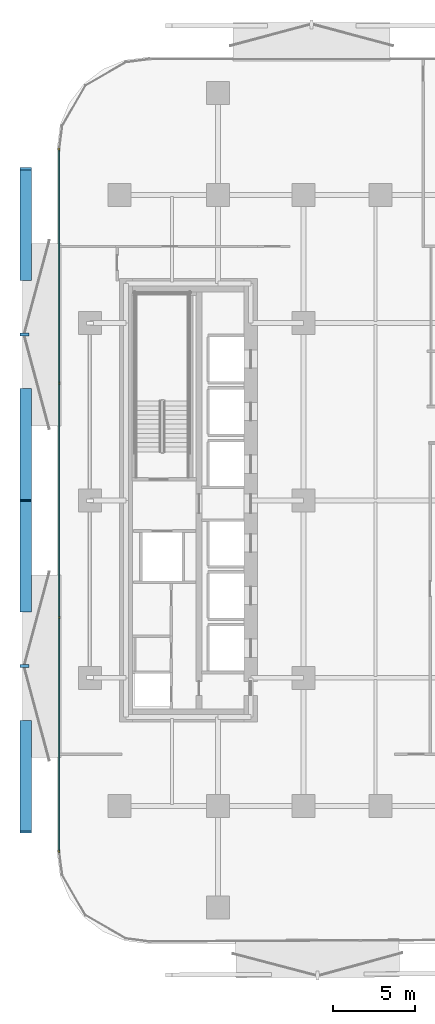
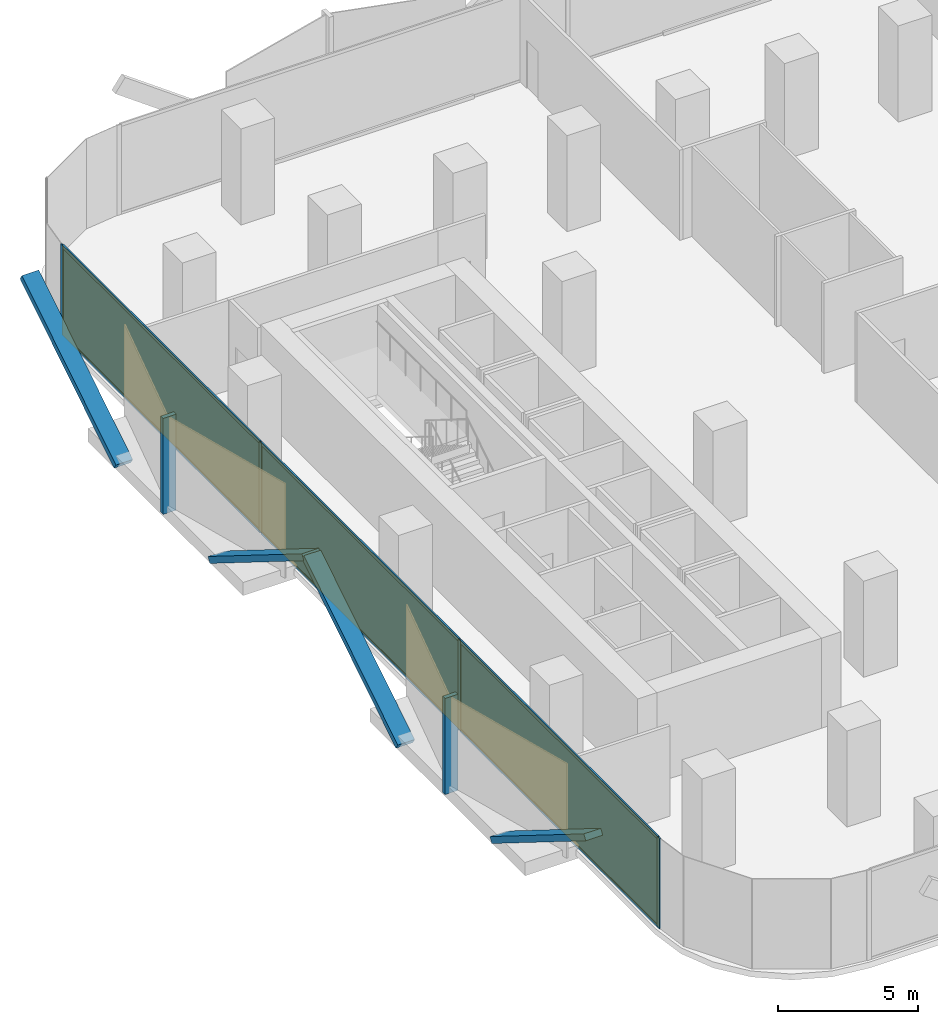
# One storey, part 8 of 15: 16 members, 3 plates, 1 curtain wall.
"""IFC4 building model written with IfcOpenShell, lengths in metres."""

from ifc_helpers import new_model, si_unit, direction, frame, frame_2d, origin, origin_2d, place, context, subcontext, project, spatial, rectangle, extrude, material, layer, layer_set, material_profile, profile_set, type_object, element, aggregate, save


model = new_model("IFC4")

# Units and contexts
model_context = context("Model", 3, precision=1e-05, world=origin(), true_north=direction((0.0, 1.0)))
body_context = subcontext(model_context, "Body", "Model", "MODEL_VIEW")
ifc_project = project(units=[si_unit("LENGTHUNIT", "METRE"), si_unit("AREAUNIT", "SQUARE_METRE"), si_unit("VOLUMEUNIT", "CUBIC_METRE"), si_unit("PLANEANGLEUNIT", "RADIAN"), si_unit("MASSUNIT", "GRAM", prefix="KILO")], contexts=[model_context])

# Member
ifc_material_1 = material(Name="Anodised Bronze Aluminium 6063-T6", Category="aluminium")
ifc_material_profile_1 = material_profile(ifc_material_1, rectangle(XDim=0.260009765625, YDim=0.699951171875, at=origin_2d()))
ifc_profile_set_1 = profile_set([ifc_material_profile_1], Name="Anodised Bronze Aluminium 6063-T6")
member_type_1 = type_object("IfcMemberType", Name="Bronze Diamond Solar-Screen Lattice Rib BDL-700", PredefinedType="MULLION", material=ifc_profile_set_1)
site_placement = place(None, origin())
building_placement = place(site_placement, origin())
storey_placement = place(building_placement, frame((0.0, 0.0, 59.60009765625)))
member_1_placement = place(storey_placement, frame((-26.10009765625, -6.730224609375, -0.130126953125), z_axis=(0.0, 0.848362902952, 0.529415134744), x_axis=(0.0, -0.529415134744, 0.848362902952)))
member_1 = element("IfcMember", 1, at=member_1_placement, type_object=member_type_1, Name="L14 Bronze Diamond Solar Screen Lattice Rib 67A", PredefinedType="MULLION", context=body_context, shape_type="SweptSolid", body=[
    extrude(rectangle(XDim=0.260009765625, YDim=0.699951171875, at=origin_2d()), origin(), (0.0, 0.0, 1.0), 7.93310546875),
])

member_2_placement = place(storey_placement, frame((-26.10009765625, -13.46044921875, -0.130126953125), z_axis=(0.0, -0.848371528126, 0.529401313057), x_axis=(0.0, 0.529401313057, 0.848371528126)))
member_2 = element("IfcMember", 2, at=member_2_placement, type_object=member_type_1, Name="L14 Bronze Diamond Solar Screen Lattice Rib 67B", PredefinedType="MULLION", context=body_context, shape_type="SweptSolid", body=[
    extrude(rectangle(XDim=0.260009765625, YDim=0.699951171875, at=origin_2d()), origin(), (0.0, 0.0, 1.0), 7.933349609375),
])

member_3_placement = place(storey_placement, frame((-26.10009765625, 13.46044921875, -0.130126953125), z_axis=(0.0, 0.848371528126, 0.529401313057), x_axis=(0.0, -0.529401313057, 0.848371528126)))
member_3 = element("IfcMember", 3, at=member_3_placement, type_object=member_type_1, Name="L14 Bronze Diamond Solar Screen Lattice Rib 68A", PredefinedType="MULLION", context=body_context, shape_type="SweptSolid", body=[
    extrude(rectangle(XDim=0.260009765625, YDim=0.699951171875, at=origin_2d()), origin(), (0.0, 0.0, 1.0), 7.933349609375),
])

member_4_placement = place(storey_placement, frame((-26.10009765625, 6.730224609375, -0.130126953125), z_axis=(0.0, -0.848362902952, 0.529415134744), x_axis=(0.0, 0.529415134744, 0.848362902952)))
member_4 = element("IfcMember", 4, at=member_4_placement, type_object=member_type_1, Name="L14 Bronze Diamond Solar Screen Lattice Rib 68B", PredefinedType="MULLION", context=body_context, shape_type="SweptSolid", body=[
    extrude(rectangle(XDim=0.260009765625, YDim=0.699951171875, at=origin_2d()), origin(), (0.0, 0.0, 1.0), 7.93310546875),
])

ifc_material_2 = material(Name="Anodised Bronze Aluminium 6063-T6", Category="aluminium")
ifc_material_profile_2 = material_profile(ifc_material_2, rectangle(XDim=0.179931640625, YDim=0.5400390625, at=origin_2d()))
ifc_profile_set_2 = profile_set([ifc_material_profile_2], Name="Anodised Bronze Aluminium 6063-T6")
member_type_2 = type_object("IfcMemberType", Name="Bronze Solar-Screen Vertical Fold Fin BSF-540", PredefinedType="MULLION", material=ifc_profile_set_2)
member_5_placement = place(storey_placement, frame((-26.179931640625, -10.095458984375, -0.130126953125), z_axis=(0.0, 0.0, 1.0), x_axis=(0.0, 1.0, 0.0)))
member_5 = element("IfcMember", 5, at=member_5_placement, type_object=member_type_2, Name="L14 Bronze Solar Screen Vertical Fin 67", PredefinedType="MULLION", context=body_context, shape_type="SweptSolid", body=[
    extrude(rectangle(XDim=0.179931640625, YDim=0.5400390625, at=origin_2d()), origin(), (0.0, 0.0, 1.0), 4.199951171875),
])

member_6_placement = place(storey_placement, frame((-26.179931640625, 10.095458984375, -0.130126953125), z_axis=(0.0, 0.0, 1.0), x_axis=(0.0, 1.0, 0.0)))
member_6 = element("IfcMember", 6, at=member_6_placement, type_object=member_type_2, Name="L14 Bronze Solar Screen Vertical Fin 68", PredefinedType="MULLION", context=body_context, shape_type="SweptSolid", body=[
    extrude(rectangle(XDim=0.179931640625, YDim=0.5400390625, at=origin_2d()), origin(), (0.0, 0.0, 1.0), 4.199951171875),
])

ifc_material_3 = material(Name="Anodised Bronze Aluminium 6063-T6", Category="aluminium")
ifc_material_profile_3 = material_profile(ifc_material_3, rectangle(XDim=0.06494140625, YDim=0.179931640625, at=origin_2d()))
ifc_profile_set_3 = profile_set([ifc_material_profile_3], Name="Anodised Bronze Aluminium 6063-T6")
member_type_3 = type_object("IfcMemberType", Name="CW-Z1 Mullion 65x180", PredefinedType="MULLION", material=ifc_profile_set_3)
member_7_placement = place(storey_placement, frame((-24.06005859375, -21.3583984375, 0.0), z_axis=(0.0, 0.0, 1.0), x_axis=(-1.0, 0.0, 0.0)))
member_7 = element("IfcMember", 7, at=member_7_placement, type_object=member_type_3, Name="CW-Z1 mullion 1", PredefinedType="MULLION", context=body_context, shape_type="SweptSolid", body=[
    extrude(rectangle(XDim=0.06494140625, YDim=0.179931640625, at=origin_2d()), origin(), (0.0, 0.0, 1.0), 3.93994140625),
])

member_8_placement = place(storey_placement, frame((-24.06005859375, -7.13037109375, 0.0), z_axis=(0.0, 0.0, 1.0), x_axis=(-1.0, 0.0, 0.0)))
member_8 = element("IfcMember", 8, at=member_8_placement, type_object=member_type_3, Name="CW-Z1 mullion 2", PredefinedType="MULLION", context=body_context, shape_type="SweptSolid", body=[
    extrude(rectangle(XDim=0.06494140625, YDim=0.179931640625, at=origin_2d()), origin(), (0.0, 0.0, 1.0), 3.93994140625),
])

member_9_placement = place(storey_placement, frame((-24.06005859375, 7.13037109375, 0.0), z_axis=(0.0, 0.0, 1.0), x_axis=(-1.0, 0.0, 0.0)))
member_9 = element("IfcMember", 9, at=member_9_placement, type_object=member_type_3, Name="CW-Z1 mullion 3", PredefinedType="MULLION", context=body_context, shape_type="SweptSolid", body=[
    extrude(rectangle(XDim=0.06494140625, YDim=0.179931640625, at=origin_2d()), origin(), (0.0, 0.0, 1.0), 3.93994140625),
])

member_10_placement = place(storey_placement, frame((-24.06005859375, 21.3583984375, 0.0), z_axis=(0.0, 0.0, 1.0), x_axis=(-1.0, 0.0, 0.0)))
member_10 = element("IfcMember", 10, at=member_10_placement, type_object=member_type_3, Name="CW-Z1 mullion 4", PredefinedType="MULLION", context=body_context, shape_type="SweptSolid", body=[
    extrude(rectangle(XDim=0.06494140625, YDim=0.179931640625, at=origin_2d()), origin(), (0.0, 0.0, 1.0), 3.93994140625),
])

ifc_material_4 = material(Name="Anodised Bronze Aluminium 6063-T6", Category="aluminium")
ifc_material_profile_4 = material_profile(ifc_material_4, rectangle(XDim=0.06494140625, YDim=0.139892578125, at=origin_2d()))
ifc_profile_set_4 = profile_set([ifc_material_profile_4], Name="Anodised Bronze Aluminium 6063-T6")
member_type_4 = type_object("IfcMemberType", Name="CW-Z1 Transom 65x140", PredefinedType="USERDEFINED", material=ifc_profile_set_4)
member_11_placement = place(storey_placement, frame((-24.06005859375, -21.32568359375, 0.032470703125), z_axis=(0.0, 1.0, 0.0), x_axis=(-1.0, 0.0, 0.0)))
member_11 = element("IfcMember", 11, at=member_11_placement, type_object=member_type_4, Name="CW-Z1 transom 1.1", ObjectType="TRANSOM", PredefinedType="USERDEFINED", context=body_context, shape_type="SweptSolid", body=[
    extrude(rectangle(XDim=0.06494140625, YDim=0.139892578125, at=origin_2d()), origin(), (0.0, 0.0, 1.0), 14.162841796875),
])

member_12_placement = place(storey_placement, frame((-24.06005859375, -21.32568359375, 3.907470703125), z_axis=(0.0, 1.0, 0.0), x_axis=(-1.0, 0.0, 0.0)))
member_12 = element("IfcMember", 12, at=member_12_placement, type_object=member_type_4, Name="CW-Z1 transom 1.2", ObjectType="TRANSOM", PredefinedType="USERDEFINED", context=body_context, shape_type="SweptSolid", body=[
    extrude(rectangle(XDim=0.06494140625, YDim=0.139892578125, at=origin_2d()), origin(), (0.0, 0.0, 1.0), 14.162841796875),
])

member_13_placement = place(storey_placement, frame((-24.06005859375, -7.09765625, 0.032470703125), z_axis=(0.0, 1.0, 0.0), x_axis=(-1.0, 0.0, 0.0)))
member_13 = element("IfcMember", 13, at=member_13_placement, type_object=member_type_4, Name="CW-Z1 transom 2.1", ObjectType="TRANSOM", PredefinedType="USERDEFINED", context=body_context, shape_type="SweptSolid", body=[
    extrude(rectangle(XDim=0.06494140625, YDim=0.139892578125, at=origin_2d()), origin(), (0.0, 0.0, 1.0), 14.1953125),
])

member_14_placement = place(storey_placement, frame((-24.06005859375, -7.09765625, 3.907470703125), z_axis=(0.0, 1.0, 0.0), x_axis=(-1.0, 0.0, 0.0)))
member_14 = element("IfcMember", 14, at=member_14_placement, type_object=member_type_4, Name="CW-Z1 transom 2.2", ObjectType="TRANSOM", PredefinedType="USERDEFINED", context=body_context, shape_type="SweptSolid", body=[
    extrude(rectangle(XDim=0.06494140625, YDim=0.139892578125, at=origin_2d()), origin(), (0.0, 0.0, 1.0), 14.1953125),
])

member_15_placement = place(storey_placement, frame((-24.06005859375, 7.162841796875, 0.032470703125), z_axis=(0.0, 1.0, 0.0), x_axis=(-1.0, 0.0, 0.0)))
member_15 = element("IfcMember", 15, at=member_15_placement, type_object=member_type_4, Name="CW-Z1 transom 3.1", ObjectType="TRANSOM", PredefinedType="USERDEFINED", context=body_context, shape_type="SweptSolid", body=[
    extrude(rectangle(XDim=0.06494140625, YDim=0.139892578125, at=origin_2d()), origin(), (0.0, 0.0, 1.0), 14.162841796875),
])

member_16_placement = place(storey_placement, frame((-24.06005859375, 7.162841796875, 3.907470703125), z_axis=(0.0, 1.0, 0.0), x_axis=(-1.0, 0.0, 0.0)))
member_16 = element("IfcMember", 16, at=member_16_placement, type_object=member_type_4, Name="CW-Z1 transom 3.2", ObjectType="TRANSOM", PredefinedType="USERDEFINED", context=body_context, shape_type="SweptSolid", body=[
    extrude(rectangle(XDim=0.06494140625, YDim=0.139892578125, at=origin_2d()), origin(), (0.0, 0.0, 1.0), 14.162841796875),
])

# Plate
ifc_material_5 = material(Name="Low-E Solar Control Laminated Glass", Category="glass")
ifc_layer_1 = layer(ifc_material_5, 0.028076171875, Name="Low-E Solar Control Laminated Glass")
ifc_layer_set_1 = layer_set([ifc_layer_1], Name="Low-E Solar Control Laminated Glass")
plate_type = type_object("IfcPlateType", Name="CW-Z1 Low-E Double Glazed Panel 28mm", PredefinedType="CURTAIN_PANEL", material=ifc_layer_set_1)
plate_1_placement = place(storey_placement, frame((-24.06005859375, -14.244384765625, 0.06494140625), z_axis=(0.0, 0.0, 1.0), x_axis=(0.0, 1.0, 0.0)))
plate_1 = element("IfcPlate", 17, at=plate_1_placement, type_object=plate_type, Name="CW-Z1 panel 1.1", PredefinedType="CURTAIN_PANEL", context=body_context, shape_type="SweptSolid", body=[
    extrude(rectangle(XDim=14.1630859375, YDim=0.028076171875, at=origin_2d()), origin(), (0.0, 0.0, 1.0), 3.81005859375),
])

plate_2_placement = place(storey_placement, frame((-24.06005859375, 0.0, 0.06494140625), z_axis=(0.0, 0.0, 1.0), x_axis=(0.0, 1.0, 0.0)))
plate_2 = element("IfcPlate", 18, at=plate_2_placement, type_object=plate_type, Name="CW-Z1 panel 2.1", PredefinedType="CURTAIN_PANEL", context=body_context, shape_type="SweptSolid", body=[
    extrude(rectangle(XDim=14.195556640625, YDim=0.028076171875, at=origin_2d()), origin(), (0.0, 0.0, 1.0), 3.81005859375),
])

plate_3_placement = place(storey_placement, frame((-24.06005859375, 14.244384765625, 0.06494140625), z_axis=(0.0, 0.0, 1.0), x_axis=(0.0, 1.0, 0.0)))
plate_3 = element("IfcPlate", 19, at=plate_3_placement, type_object=plate_type, Name="CW-Z1 panel 3.1", PredefinedType="CURTAIN_PANEL", context=body_context, shape_type="SweptSolid", body=[
    extrude(rectangle(XDim=14.1630859375, YDim=0.028076171875, at=origin_2d()), origin(), (0.0, 0.0, 1.0), 3.81005859375),
])

# Site, building, storey
site = spatial("IfcSite", under=ifc_project, at=site_placement, CompositionType="ELEMENT")
building = spatial("IfcBuilding", under=site, at=building_placement, Name="Khairoan Windgate Tower", CompositionType="ELEMENT")
storey = spatial("IfcBuildingStorey", under=building, at=storey_placement, Name="L14", CompositionType="ELEMENT", Elevation=59.60009765625)

# Curtain wall
ifc_material_6 = material(Name="Anodised Bronze Aluminium 6063-T6", Category="aluminium")
ifc_layer_2 = layer(ifc_material_6, 0.179931640625, Name="Anodised Bronze Aluminium 6063-T6")
ifc_layer_set_2 = layer_set([ifc_layer_2], Name="Anodised Bronze Aluminium 6063-T6")
curtain_wall_type = type_object("IfcCurtainWallType", Name="Low-Rise Office Unitised Curtain Wall CW-Z1", PredefinedType="NOTDEFINED", material=ifc_layer_set_2)
curtain_wall_placement = place(storey_placement, frame((-24.06005859375, -21.390869140625, 0.0), z_axis=(0.0, 0.0, 1.0), x_axis=(0.0, 1.0, 0.0)))
curtain_wall = element("IfcCurtainWall", 20, at=curtain_wall_placement, inside=storey, type_object=curtain_wall_type, Name="L14 Unitised Curtain Wall 6", PredefinedType="NOTDEFINED", context=body_context, shape_type="SweptSolid", body=[
    extrude(rectangle(XDim=42.78173828125, YDim=0.010009765625, at=frame_2d((21.390869140625, 0.0))), origin(), (0.0, 0.0, 1.0), 3.93994140625),
])

aggregate(curtain_wall, [member_7, member_8, member_9, member_10, member_11, member_12, plate_1, member_13, member_14, plate_2, member_15, member_16, plate_3, member_1, member_2, member_5, member_3, member_4, member_6])

save(model, "model.ifc")
